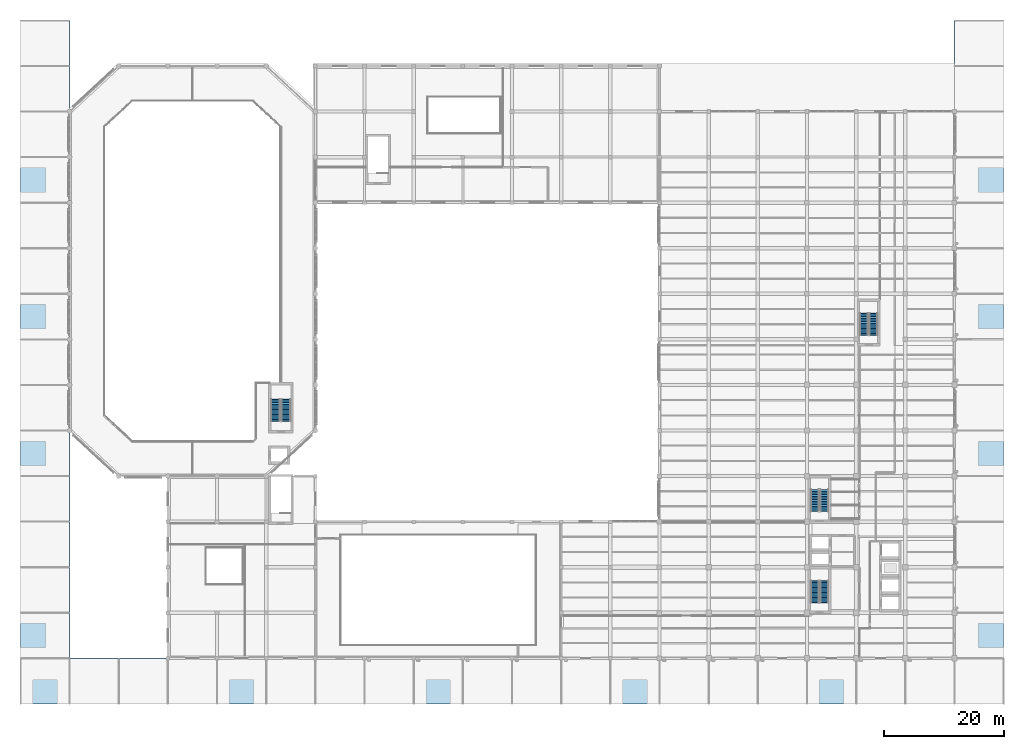
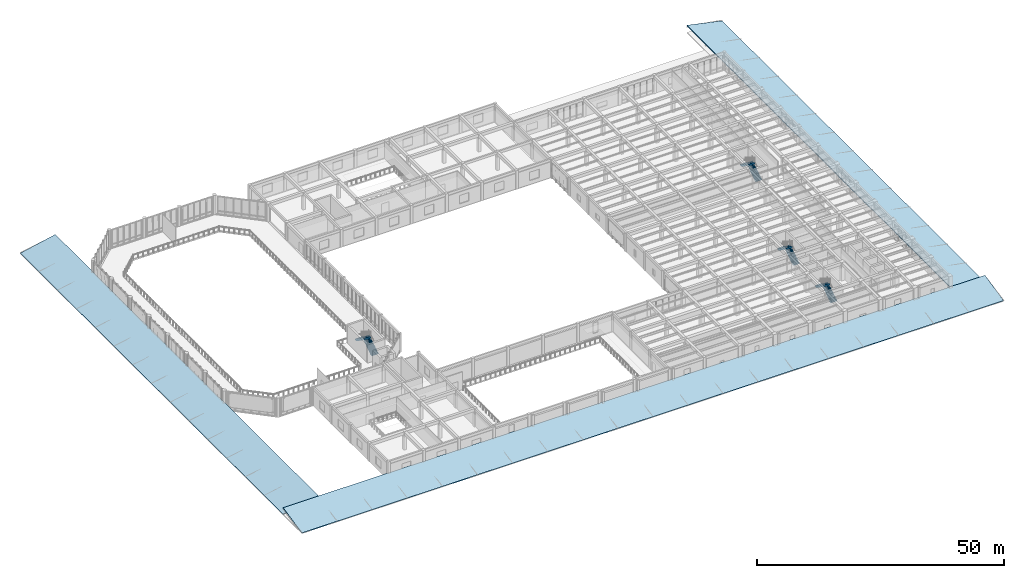
# One storey, part 44 of 57: 8 stair flights, 3 roofs, 4 elements without a shape of their own.
"""IFC4 building model written with IfcOpenShell, lengths in metres."""

from ifc_helpers import new_model, si_unit, direction, frame, origin, place, context, subcontext, project, spatial, polyline, outline, extrude, material, layer, layer_set, type_object, element, aggregate, save


model = new_model("IFC4")

# Units and contexts
model_context = context("Model", 3, precision=1e-05, world=origin(), true_north=direction((0.0, 1.0)))
body_context = subcontext(model_context, "Body", "Model", "MODEL_VIEW")
ifc_project = project(units=[si_unit("LENGTHUNIT", "METRE"), si_unit("AREAUNIT", "SQUARE_METRE"), si_unit("VOLUMEUNIT", "CUBIC_METRE"), si_unit("PLANEANGLEUNIT", "RADIAN"), si_unit("MASSUNIT", "GRAM", prefix="KILO")], contexts=[model_context])

# Site, building, storey
site_placement = place(None, origin())
site = spatial("IfcSite", under=ifc_project, at=site_placement, CompositionType="ELEMENT")
building_placement = place(site_placement, origin())
building = spatial("IfcBuilding", under=site, at=building_placement, Name="Qandaris Square Conservatory and Botanical Centre", CompositionType="ELEMENT")
storey_placement = place(building_placement, frame((0.0, 0.0, 5.39990234375)))
storey = spatial("IfcBuildingStorey", under=building, at=storey_placement, Name="L01", CompositionType="ELEMENT", Elevation=5.39990234375)

# Stair, stair flights
ifc_material_1 = material(Name="Concrete C40/50", Category="concrete")
stair_type_1 = type_object("IfcStairType", Name="Core Escape Scissor Stair", PredefinedType="HALF_TURN_STAIR", material=ifc_material_1)
stair_1_placement = place(storey_placement, origin())
stair_1 = element("IfcStair", 1, at=stair_1_placement, inside=storey, type_object=stair_type_1, Name="L01 Tower South Exit Stair ST-1", PredefinedType="HALF_TURN_STAIR")
ifc_material_2 = material(Name="Precast concrete C40/50", Category="concrete")
stair_flight_type_1 = type_object("IfcStairFlightType", Name="RC Precast Stair Flight 1400mm", PredefinedType="STRAIGHT", material=ifc_material_2)
stair_flight_1_placement = place(storey_placement, frame((142.10009765625, 25.89990234375, 0.0), z_axis=(0.0, 0.0, 1.0), x_axis=(0.0, 1.0, 0.0)))
stair_flight_1 = element("IfcStairFlight", 2, at=stair_flight_1_placement, type_object=stair_flight_type_1, Name="ST-1 flight 1", NumberOfRisers=14, NumberOfTreads=13, PredefinedType="STRAIGHT", RiserHeight=0.171428571, TreadLength=0.28, context=body_context, shape_type="SweptSolid", body=[
    extrude(outline(polyline([(-0.034912109375, 0.0), (0.0, 0.0), (0.0, 0.17138671875), (0.280029296875, 0.17138671875), (0.280029296875, 0.3427734375), (0.56005859375, 0.3427734375), (0.56005859375, 0.514404296875), (0.840087890625, 0.514404296875), (0.840087890625, 0.685791015625), (1.1201171875, 0.685791015625), (1.1201171875, 0.857177734375), (1.39990234375, 0.857177734375), (1.39990234375, 1.028564453125), (1.679931640625, 1.028564453125), (1.679931640625, 1.199951171875), (1.9599609375, 1.199951171875), (1.9599609375, 1.371337890625), (2.239990234375, 1.371337890625), (2.239990234375, 1.54296875), (2.52001953125, 1.54296875), (2.52001953125, 1.71435546875), (2.800048828125, 1.71435546875), (2.800048828125, 1.8857421875), (3.080078125, 1.8857421875), (3.080078125, 2.05712890625), (3.360107421875, 2.05712890625), (3.360107421875, 2.228515625), (3.639892578125, 2.228515625), (3.639892578125, 2.39990234375), (3.6748046875, 2.39990234375), (3.6748046875, 2.052734375), (3.639892578125, 2.052734375), (0.515869140625, -0.139892578125), (-0.034912109375, -0.139892578125), (-0.034912109375, 0.0)])), frame((0.0, 0.699951171875, 0.0), z_axis=(0.0, -1.0, 0.0), x_axis=(1.0, 0.0, 0.0)), (0.0, 0.0, 1.0), 1.39990234375),
])
stair_flight_2_placement = place(storey_placement, frame((140.5, 29.5400390625, 2.400146484375), z_axis=(0.0, 0.0, 1.0), x_axis=(0.0, -1.0, 0.0)))
stair_flight_2 = element("IfcStairFlight", 3, at=stair_flight_2_placement, type_object=stair_flight_type_1, Name="ST-1 flight 2", NumberOfRisers=14, NumberOfTreads=13, PredefinedType="STRAIGHT", RiserHeight=0.171428571, TreadLength=0.28, context=body_context, shape_type="SweptSolid", body=[
    extrude(outline(polyline([(-0.034912109375, 0.0), (0.0, 0.0), (0.0, 0.17138671875), (0.280029296875, 0.17138671875), (0.280029296875, 0.3427734375), (0.56005859375, 0.3427734375), (0.56005859375, 0.514404296875), (0.840087890625, 0.514404296875), (0.840087890625, 0.685791015625), (1.1201171875, 0.685791015625), (1.1201171875, 0.857177734375), (1.39990234375, 0.857177734375), (1.39990234375, 1.028564453125), (1.679931640625, 1.028564453125), (1.679931640625, 1.199951171875), (1.9599609375, 1.199951171875), (1.9599609375, 1.371337890625), (2.239990234375, 1.371337890625), (2.239990234375, 1.54296875), (2.52001953125, 1.54296875), (2.52001953125, 1.71435546875), (2.800048828125, 1.71435546875), (2.800048828125, 1.8857421875), (3.080078125, 1.8857421875), (3.080078125, 2.05712890625), (3.360107421875, 2.05712890625), (3.360107421875, 2.228515625), (3.639892578125, 2.228515625), (3.639892578125, 2.39990234375), (3.6748046875, 2.39990234375), (3.6748046875, 2.052734375), (3.639892578125, 2.052734375), (0.515869140625, -0.139892578125), (-0.034912109375, -0.139892578125), (-0.034912109375, 0.0)])), frame((0.0, 0.699951171875, 0.0), z_axis=(0.0, -1.0, 0.0), x_axis=(1.0, 0.0, 0.0)), (0.0, 0.0, 1.0), 1.39990234375),
])
aggregate(stair_1, [stair_flight_1, stair_flight_2])

stair_2_placement = place(storey_placement, origin())
stair_2 = element("IfcStair", 4, at=stair_2_placement, inside=storey, type_object=stair_type_1, Name="L01 Tower North Exit Stair ST-2", PredefinedType="HALF_TURN_STAIR")
stair_flight_3_placement = place(storey_placement, frame((142.10009765625, 41.10009765625, 0.0), z_axis=(0.0, 0.0, 1.0), x_axis=(0.0, 1.0, 0.0)))
stair_flight_3 = element("IfcStairFlight", 5, at=stair_flight_3_placement, type_object=stair_flight_type_1, Name="ST-2 flight 1", NumberOfRisers=14, NumberOfTreads=13, PredefinedType="STRAIGHT", RiserHeight=0.171428571, TreadLength=0.28, context=body_context, shape_type="SweptSolid", body=[
    extrude(outline(polyline([(-0.034912109375, 0.0), (0.0, 0.0), (0.0, 0.17138671875), (0.280029296875, 0.17138671875), (0.280029296875, 0.3427734375), (0.56005859375, 0.3427734375), (0.56005859375, 0.514404296875), (0.840087890625, 0.514404296875), (0.840087890625, 0.685791015625), (1.1201171875, 0.685791015625), (1.1201171875, 0.857177734375), (1.39990234375, 0.857177734375), (1.39990234375, 1.028564453125), (1.679931640625, 1.028564453125), (1.679931640625, 1.199951171875), (1.9599609375, 1.199951171875), (1.9599609375, 1.371337890625), (2.239990234375, 1.371337890625), (2.239990234375, 1.54296875), (2.52001953125, 1.54296875), (2.52001953125, 1.71435546875), (2.800048828125, 1.71435546875), (2.800048828125, 1.8857421875), (3.080078125, 1.8857421875), (3.080078125, 2.05712890625), (3.360107421875, 2.05712890625), (3.360107421875, 2.228515625), (3.639892578125, 2.228515625), (3.639892578125, 2.39990234375), (3.6748046875, 2.39990234375), (3.6748046875, 2.052734375), (3.639892578125, 2.052734375), (0.515869140625, -0.139892578125), (-0.034912109375, -0.139892578125), (-0.034912109375, 0.0)])), frame((0.0, 0.699951171875, 0.0), z_axis=(0.0, -1.0, 0.0), x_axis=(1.0, 0.0, 0.0)), (0.0, 0.0, 1.0), 1.39990234375),
])
stair_flight_4_placement = place(storey_placement, frame((140.5, 44.739990234375, 2.400146484375), z_axis=(0.0, 0.0, 1.0), x_axis=(0.0, -1.0, 0.0)))
stair_flight_4 = element("IfcStairFlight", 6, at=stair_flight_4_placement, type_object=stair_flight_type_1, Name="ST-2 flight 2", NumberOfRisers=14, NumberOfTreads=13, PredefinedType="STRAIGHT", RiserHeight=0.171428571, TreadLength=0.28, context=body_context, shape_type="SweptSolid", body=[
    extrude(outline(polyline([(-0.034912109375, 0.0), (0.0, 0.0), (0.0, 0.17138671875), (0.280029296875, 0.17138671875), (0.280029296875, 0.3427734375), (0.56005859375, 0.3427734375), (0.56005859375, 0.514404296875), (0.840087890625, 0.514404296875), (0.840087890625, 0.685791015625), (1.1201171875, 0.685791015625), (1.1201171875, 0.857177734375), (1.39990234375, 0.857177734375), (1.39990234375, 1.028564453125), (1.679931640625, 1.028564453125), (1.679931640625, 1.199951171875), (1.9599609375, 1.199951171875), (1.9599609375, 1.371337890625), (2.239990234375, 1.371337890625), (2.239990234375, 1.54296875), (2.52001953125, 1.54296875), (2.52001953125, 1.71435546875), (2.800048828125, 1.71435546875), (2.800048828125, 1.8857421875), (3.080078125, 1.8857421875), (3.080078125, 2.05712890625), (3.360107421875, 2.05712890625), (3.360107421875, 2.228515625), (3.639892578125, 2.228515625), (3.639892578125, 2.39990234375), (3.6748046875, 2.39990234375), (3.6748046875, 2.052734375), (3.639892578125, 2.052734375), (0.515869140625, -0.139892578125), (-0.034912109375, -0.139892578125), (-0.034912109375, 0.0)])), frame((0.0, 0.699951171875, 0.0), z_axis=(0.0, -1.0, 0.0), x_axis=(1.0, 0.0, 0.0)), (0.0, 0.0, 1.0), 1.39990234375),
])
aggregate(stair_2, [stair_flight_3, stair_flight_4])

stair_3_placement = place(storey_placement, origin())
stair_3 = element("IfcStair", 7, at=stair_3_placement, inside=storey, type_object=stair_type_1, Name="L01 Herbarium North Exit Stair ST-3", PredefinedType="HALF_TURN_STAIR")
stair_flight_5_placement = place(storey_placement, frame((150.300048828125, 70.5, 0.0), z_axis=(0.0, 0.0, 1.0), x_axis=(0.0, 1.0, 0.0)))
stair_flight_5 = element("IfcStairFlight", 8, at=stair_flight_5_placement, type_object=stair_flight_type_1, Name="ST-3 flight 1", NumberOfRisers=14, NumberOfTreads=13, PredefinedType="STRAIGHT", RiserHeight=0.171428571, TreadLength=0.28, context=body_context, shape_type="SweptSolid", body=[
    extrude(outline(polyline([(-0.034912109375, 0.0), (0.0, 0.0), (0.0, 0.17138671875), (0.280029296875, 0.17138671875), (0.280029296875, 0.3427734375), (0.56005859375, 0.3427734375), (0.56005859375, 0.514404296875), (0.840087890625, 0.514404296875), (0.840087890625, 0.685791015625), (1.1201171875, 0.685791015625), (1.1201171875, 0.857177734375), (1.39990234375, 0.857177734375), (1.39990234375, 1.028564453125), (1.679931640625, 1.028564453125), (1.679931640625, 1.199951171875), (1.9599609375, 1.199951171875), (1.9599609375, 1.371337890625), (2.239990234375, 1.371337890625), (2.239990234375, 1.54296875), (2.52001953125, 1.54296875), (2.52001953125, 1.71435546875), (2.800048828125, 1.71435546875), (2.800048828125, 1.8857421875), (3.080078125, 1.8857421875), (3.080078125, 2.05712890625), (3.360107421875, 2.05712890625), (3.360107421875, 2.228515625), (3.639892578125, 2.228515625), (3.639892578125, 2.39990234375), (3.6748046875, 2.39990234375), (3.6748046875, 2.052734375), (3.639892578125, 2.052734375), (0.515869140625, -0.139892578125), (-0.034912109375, -0.139892578125), (-0.034912109375, 0.0)])), frame((0.0, 0.699951171875, 0.0), z_axis=(0.0, -1.0, 0.0), x_axis=(1.0, 0.0, 0.0)), (0.0, 0.0, 1.0), 1.39990234375),
])
stair_flight_6_placement = place(storey_placement, frame((148.699951171875, 74.139892578125, 2.400146484375), z_axis=(0.0, 0.0, 1.0), x_axis=(0.0, -1.0, 0.0)))
stair_flight_6 = element("IfcStairFlight", 9, at=stair_flight_6_placement, type_object=stair_flight_type_1, Name="ST-3 flight 2", NumberOfRisers=14, NumberOfTreads=13, PredefinedType="STRAIGHT", RiserHeight=0.171428571, TreadLength=0.28, context=body_context, shape_type="SweptSolid", body=[
    extrude(outline(polyline([(-0.034912109375, 0.0), (0.0, 0.0), (0.0, 0.17138671875), (0.280029296875, 0.17138671875), (0.280029296875, 0.3427734375), (0.56005859375, 0.3427734375), (0.56005859375, 0.514404296875), (0.840087890625, 0.514404296875), (0.840087890625, 0.685791015625), (1.1201171875, 0.685791015625), (1.1201171875, 0.857177734375), (1.39990234375, 0.857177734375), (1.39990234375, 1.028564453125), (1.679931640625, 1.028564453125), (1.679931640625, 1.199951171875), (1.9599609375, 1.199951171875), (1.9599609375, 1.371337890625), (2.239990234375, 1.371337890625), (2.239990234375, 1.54296875), (2.52001953125, 1.54296875), (2.52001953125, 1.71435546875), (2.800048828125, 1.71435546875), (2.800048828125, 1.8857421875), (3.080078125, 1.8857421875), (3.080078125, 2.05712890625), (3.360107421875, 2.05712890625), (3.360107421875, 2.228515625), (3.639892578125, 2.228515625), (3.639892578125, 2.39990234375), (3.6748046875, 2.39990234375), (3.6748046875, 2.052734375), (3.639892578125, 2.052734375), (0.515869140625, -0.139892578125), (-0.034912109375, -0.139892578125), (-0.034912109375, 0.0)])), frame((0.0, 0.699951171875, 0.0), z_axis=(0.0, -1.0, 0.0), x_axis=(1.0, 0.0, 0.0)), (0.0, 0.0, 1.0), 1.39990234375),
])
aggregate(stair_3, [stair_flight_5, stair_flight_6])

stair_type_2 = type_object("IfcStairType", Name="Podium Grand Escape Stair 1550mm", PredefinedType="HALF_TURN_STAIR", material=ifc_material_1)
stair_4_placement = place(storey_placement, origin())
stair_4 = element("IfcStair", 10, at=stair_4_placement, inside=storey, type_object=stair_type_2, Name="L01 Conservatory West Exit Stair ST-5", PredefinedType="HALF_TURN_STAIR")
stair_flight_type_2 = type_object("IfcStairFlightType", Name="RC Precast Stair Flight 1550mm", PredefinedType="STRAIGHT", material=ifc_material_2)
stair_flight_7_placement = place(storey_placement, frame((52.324951171875, 56.14990234375, 0.0), z_axis=(0.0, 0.0, 1.0), x_axis=(0.0, 1.0, 0.0)))
stair_flight_7 = element("IfcStairFlight", 11, at=stair_flight_7_placement, type_object=stair_flight_type_2, Name="ST-5 flight 1", NumberOfRisers=14, NumberOfTreads=13, PredefinedType="STRAIGHT", RiserHeight=0.171428571, TreadLength=0.28, context=body_context, shape_type="SweptSolid", body=[
    extrude(outline(polyline([(-0.034912109375, 0.0), (0.0, 0.0), (0.0, 0.17138671875), (0.280029296875, 0.17138671875), (0.280029296875, 0.3427734375), (0.56005859375, 0.3427734375), (0.56005859375, 0.514404296875), (0.840087890625, 0.514404296875), (0.840087890625, 0.685791015625), (1.1201171875, 0.685791015625), (1.1201171875, 0.857177734375), (1.39990234375, 0.857177734375), (1.39990234375, 1.028564453125), (1.679931640625, 1.028564453125), (1.679931640625, 1.199951171875), (1.9599609375, 1.199951171875), (1.9599609375, 1.371337890625), (2.239990234375, 1.371337890625), (2.239990234375, 1.54296875), (2.52001953125, 1.54296875), (2.52001953125, 1.71435546875), (2.800048828125, 1.71435546875), (2.800048828125, 1.8857421875), (3.080078125, 1.8857421875), (3.080078125, 2.05712890625), (3.360107421875, 2.05712890625), (3.360107421875, 2.228515625), (3.639892578125, 2.228515625), (3.639892578125, 2.39990234375), (3.6748046875, 2.39990234375), (3.6748046875, 2.052734375), (3.639892578125, 2.052734375), (0.515869140625, -0.139892578125), (-0.034912109375, -0.139892578125), (-0.034912109375, 0.0)])), frame((0.0, 0.77490234375, 0.0), z_axis=(0.0, -1.0, 0.0), x_axis=(1.0, 0.0, 0.0)), (0.0, 0.0, 1.0), 1.550048828125),
])
stair_flight_8_placement = place(storey_placement, frame((50.574951171875, 59.7900390625, 2.400146484375), z_axis=(0.0, 0.0, 1.0), x_axis=(0.0, -1.0, 0.0)))
stair_flight_8 = element("IfcStairFlight", 12, at=stair_flight_8_placement, type_object=stair_flight_type_2, Name="ST-5 flight 2", NumberOfRisers=14, NumberOfTreads=13, PredefinedType="STRAIGHT", RiserHeight=0.171428571, TreadLength=0.28, context=body_context, shape_type="SweptSolid", body=[
    extrude(outline(polyline([(-0.034912109375, 0.0), (0.0, 0.0), (0.0, 0.17138671875), (0.280029296875, 0.17138671875), (0.280029296875, 0.3427734375), (0.56005859375, 0.3427734375), (0.56005859375, 0.514404296875), (0.840087890625, 0.514404296875), (0.840087890625, 0.685791015625), (1.1201171875, 0.685791015625), (1.1201171875, 0.857177734375), (1.39990234375, 0.857177734375), (1.39990234375, 1.028564453125), (1.679931640625, 1.028564453125), (1.679931640625, 1.199951171875), (1.9599609375, 1.199951171875), (1.9599609375, 1.371337890625), (2.239990234375, 1.371337890625), (2.239990234375, 1.54296875), (2.52001953125, 1.54296875), (2.52001953125, 1.71435546875), (2.800048828125, 1.71435546875), (2.800048828125, 1.8857421875), (3.080078125, 1.8857421875), (3.080078125, 2.05712890625), (3.360107421875, 2.05712890625), (3.360107421875, 2.228515625), (3.639892578125, 2.228515625), (3.639892578125, 2.39990234375), (3.6748046875, 2.39990234375), (3.6748046875, 2.052734375), (3.639892578125, 2.052734375), (0.515869140625, -0.139892578125), (-0.034912109375, -0.139892578125), (-0.034912109375, 0.0)])), frame((0.0, 0.77490234375, 0.0), z_axis=(0.0, -1.0, 0.0), x_axis=(1.0, 0.0, 0.0)), (0.0, 0.0, 1.0), 1.550048828125),
])
aggregate(stair_4, [stair_flight_7, stair_flight_8])

# Roofs
ifc_layer = layer(ifc_material_2, 0.199951171875)
ifc_layer_set = layer_set([ifc_layer], Name="Precast concrete C40/50")
roof_type = type_object("IfcRoofType", Name="Prairie Overhanging Hipped Roof", PredefinedType="HIP_ROOF", material=ifc_layer_set)
roof_placement = place(storey_placement, frame((8.0, 9.0, 0.0), z_axis=(0.0, -0.210948476295, 0.97749718176), x_axis=(1.0, 0.0, 0.0)))
element("IfcRoof", 13, at=roof_placement, inside=storey, type_object=roof_type, Name="Prairie Sloped Roof ROOF-COL-S", PredefinedType="HIP_ROOF", context=body_context, shape_type="SweptSolid", body=[
    extrude(outline(polyline([(0.0, 0.0), (164.0, 0.0), (164.0, 7.775058381821243), (0.0, 7.775058381821243), (0.0, 0.0)])), origin(), (0.0, 0.0, -1.0), 0.179931640625),
])
for number, where, z_axis, x_axis, name in (
    (14, (8.0, 123.0, 0.0), (-0.209857101805, 0.0, 0.977732068014), (0.0, -1.0, 0.0), "Prairie Sloped Roof ROOF-COL-W"),
    (15, (172.0, 16.60009765625, 0.0), (0.209857101805, 0.0, 0.977732068014), (0.0, 1.0, 0.0), "Prairie Sloped Roof ROOF-COL-E"),
):
    element("IfcRoof", number, at=place(storey_placement, frame(where, z_axis=z_axis, x_axis=x_axis)), inside=storey, type_object=roof_type, Name=name, PredefinedType="HIP_ROOF", context=body_context, shape_type="SweptSolid", body=[
        extrude(outline(polyline([(0.0, 0.0), (106.39990234375, 0.0), (106.39990234375, 8.386705765449838), (0.0, 8.386705765449838), (0.0, 0.0)])), origin(), (0.0, 0.0, -1.0), 0.179931640625),
    ])

save(model, "model.ifc")
